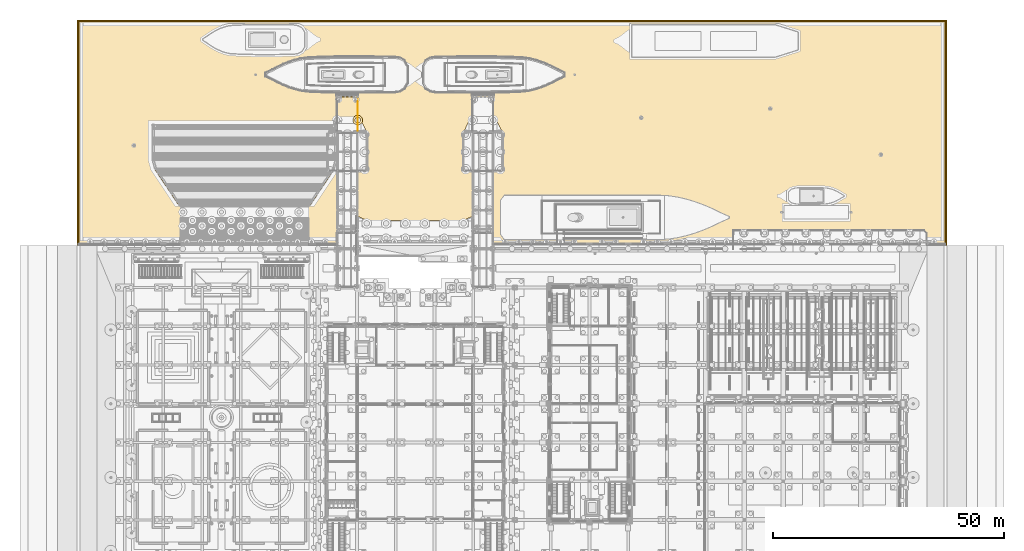
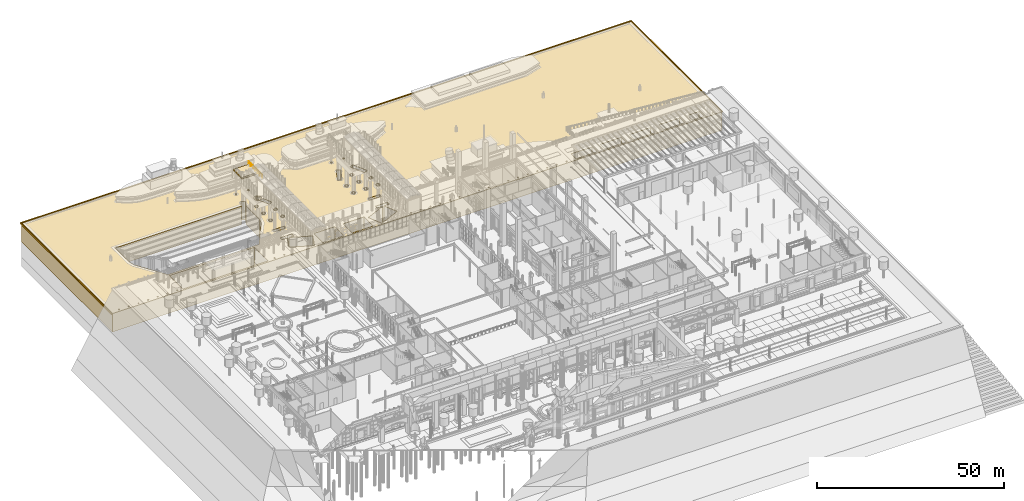
# One storey, part 193 of 222: 4 coverings, 1 railing.
"""IFC4 building model written with IfcOpenShell, lengths in metres."""

from ifc_helpers import new_model, si_unit, direction, frame, origin, origin_2d, place, context, subcontext, project, spatial, polyline, circle, outline, extrude, material, layer, layer_set, type_object, element, save


model = new_model("IFC4")

# Units and contexts
model_context = context("Model", 3, precision=1e-05, world=origin(), true_north=direction((0.0, 1.0)))
body_context = subcontext(model_context, "Body", "Model", "MODEL_VIEW")
ifc_project = project(units=[si_unit("LENGTHUNIT", "METRE"), si_unit("AREAUNIT", "SQUARE_METRE"), si_unit("VOLUMEUNIT", "CUBIC_METRE"), si_unit("PLANEANGLEUNIT", "RADIAN"), si_unit("MASSUNIT", "GRAM", prefix="KILO")], contexts=[model_context])

# Site, building, storey
site_placement = place(None, origin())
site = spatial("IfcSite", under=ifc_project, at=site_placement, CompositionType="ELEMENT")
building_placement = place(site_placement, origin())
building = spatial("IfcBuilding", under=site, at=building_placement, Name="Sava Quay Ferry Terminal", CompositionType="ELEMENT")
storey_placement = place(building_placement, origin())
storey = spatial("IfcBuildingStorey", under=building, at=storey_placement, Name="L00", CompositionType="ELEMENT", Elevation=0.0)

# Covering
ifc_material_1 = material(Name="Precast concrete C40/50", Category="concrete")
ifc_layer_1 = layer(ifc_material_1, 0.449951171875)
ifc_layer_set_1 = layer_set([ifc_layer_1], Name="Precast concrete C40/50")
covering_type_1 = type_object("IfcCoveringType", Name="Berth landing stage 450", PredefinedType="FLOORING", material=ifc_layer_set_1)
covering_1_placement = place(storey_placement, frame((0.0, 0.0, -0.449951171875)))
element("IfcCovering", 1, at=covering_1_placement, inside=storey, type_object=covering_type_1, Name="Berth landing stage", PredefinedType="FLOORING", context=body_context, shape_type="SweptSolid", body=[
    extrude(outline(polyline([(45.89990234375, 146.0), (50.699951171875, 146.0), (50.699951171875, 150.5), (45.89990234375, 150.5), (45.89990234375, 146.0)])), origin(), (0.0, 0.0, 1.0), 0.449951171875),
])

# Railing
ifc_material_2 = material(Name="Steel S355", Category="steel")
railing_type = type_object("IfcRailingType", Name="Edge guard 1100", PredefinedType="GUARDRAIL", material=ifc_material_2)
railing_placement = place(storey_placement, frame((50.550048828125, 143.199951171875, 0.0)))
element("IfcRailing", 2, at=railing_placement, inside=storey, type_object=railing_type, Name="Berth guard east side", PredefinedType="GUARDRAIL", context=body_context, shape_type="SweptSolid", body=[
    extrude(circle(Radius=0.02392578125, at=origin_2d()), frame((0.0, 0.0, 1.076171875), z_axis=(0.0, 1.0, 0.0), x_axis=(-1.0, 0.0, 0.0)), (0.0, 0.0, 1.0), 7.150146484375),
    extrude(circle(Radius=0.02099609375, at=origin_2d()), origin(), (0.0, 0.0, 1.0), 1.052001953125),
    extrude(circle(Radius=0.02099609375, at=origin_2d()), frame((0.0, 1.191650390625, 0.0)), (0.0, 0.0, 1.0), 1.052001953125),
    extrude(circle(Radius=0.02099609375, at=origin_2d()), frame((0.0, 2.38330078125, 0.0)), (0.0, 0.0, 1.0), 1.052001953125),
    extrude(circle(Radius=0.02099609375, at=origin_2d()), frame((0.0, 3.5751953125, 0.0)), (0.0, 0.0, 1.0), 1.052001953125),
    extrude(circle(Radius=0.02099609375, at=origin_2d()), frame((0.0, 4.766845703125, 0.0)), (0.0, 0.0, 1.0), 1.052001953125),
    extrude(circle(Radius=0.02099609375, at=origin_2d()), frame((0.0, 5.95849609375, 0.0)), (0.0, 0.0, 1.0), 1.052001953125),
    extrude(circle(Radius=0.02099609375, at=origin_2d()), frame((0.0, 7.150146484375, 0.0)), (0.0, 0.0, 1.0), 1.052001953125),
])

# Coverings
ifc_material_3 = material(Name="Limestone ashlar", Category="masonry")
ifc_layer_2 = layer(ifc_material_3, 0.25)
ifc_layer_set_2 = layer_set([ifc_layer_2], Name="Limestone ashlar")
covering_type_2 = type_object("IfcCoveringType", Name="Quay waterline ledge 250x400", PredefinedType="MOLDING", material=ifc_layer_set_2)
covering_2_placement = place(storey_placement, frame((0.0, 0.0, -8.199951171875)))
element("IfcCovering", 3, at=covering_2_placement, inside=storey, type_object=covering_type_2, Name="Quay waterline ledge", PredefinedType="MOLDING", context=body_context, shape_type="SweptSolid", body=[
    extrude(outline(polyline([(-10.25, 118.35009765625), (-10.0, 118.35009765625), (-10.0, 166.955078125), (178.0, 166.955078125), (178.0, 118.35009765625), (178.25, 118.35009765625), (178.25, 167.205078125), (-10.25, 167.205078125), (-10.25, 118.35009765625)])), origin(), (0.0, 0.0, 1.0), 0.39990234375),
])
ifc_material_4 = material(Name="Water")
ifc_layer_3 = layer(ifc_material_4, 0.0400390625)
ifc_layer_set_3 = layer_set([ifc_layer_3], Name="Water")
covering_type_3 = type_object("IfcCoveringType", Name="River foam collar", PredefinedType="CLADDING", material=ifc_layer_set_3)
covering_3_placement = place(storey_placement, frame((0.0, 0.0, -8.0)))
element("IfcCovering", 4, at=covering_3_placement, inside=storey, type_object=covering_type_3, Name="River foam collar", PredefinedType="CLADDING", context=body_context, shape_type="SweptSolid", body=[
    extrude(outline(polyline([(49.965087890625, 146.375), (49.805908203125, 146.243896484375), (49.675048828125, 146.0849609375), (49.577880859375, 145.903076171875), (49.51806640625, 145.705078125), (49.498046875, 145.5), (49.51806640625, 145.294921875), (49.577880859375, 145.096923828125), (49.675048828125, 144.9150390625), (49.805908203125, 144.756103515625), (49.965087890625, 144.625), (50.14697265625, 144.528076171875), (50.344970703125, 144.468017578125), (50.550048828125, 144.447998046875), (50.7548828125, 144.468017578125), (50.952880859375, 144.528076171875), (51.135009765625, 144.625), (51.2939453125, 144.756103515625), (51.425048828125, 144.9150390625), (51.52197265625, 145.096923828125), (51.58203125, 145.294921875), (51.60205078125, 145.5), (51.58203125, 145.705078125), (51.52197265625, 145.903076171875), (51.425048828125, 146.0849609375), (51.2939453125, 146.243896484375), (51.135009765625, 146.375), (50.952880859375, 146.471923828125), (50.7548828125, 146.531982421875), (50.550048828125, 146.552001953125), (50.344970703125, 146.531982421875), (50.14697265625, 146.471923828125), (49.965087890625, 146.375)]), holes=[polyline([(50.217041015625, 145.0009765625), (50.1259765625, 145.075927734375), (50.051025390625, 145.1669921875), (49.99609375, 145.27001953125), (49.9619140625, 145.383056640625), (49.949951171875, 145.5), (49.9619140625, 145.616943359375), (49.99609375, 145.72998046875), (50.051025390625, 145.8330078125), (50.1259765625, 145.924072265625), (50.217041015625, 145.9990234375), (50.320068359375, 146.053955078125), (50.43310546875, 146.087890625), (50.550048828125, 146.10009765625), (50.6669921875, 146.087890625), (50.780029296875, 146.053955078125), (50.883056640625, 145.9990234375), (50.97412109375, 145.924072265625), (51.049072265625, 145.8330078125), (51.10400390625, 145.72998046875), (51.137939453125, 145.616943359375), (51.14990234375, 145.5), (51.137939453125, 145.383056640625), (51.10400390625, 145.27001953125), (51.049072265625, 145.1669921875), (50.97412109375, 145.075927734375), (50.883056640625, 145.0009765625), (50.780029296875, 144.946044921875), (50.6669921875, 144.912109375), (50.550048828125, 144.89990234375), (50.43310546875, 144.912109375), (50.320068359375, 144.946044921875), (50.217041015625, 145.0009765625)])]), origin(), (0.0, 0.0, 1.0), 0.0400390625),
])
ifc_material_5 = material(Name="Water")
ifc_layer_4 = layer(ifc_material_5, 6.0)
ifc_layer_set_4 = layer_set([ifc_layer_4], Name="Water")
covering_type_4 = type_object("IfcCoveringType", Name="River water body", PredefinedType="MEMBRANE", material=ifc_layer_set_4)
covering_4_placement = place(storey_placement, frame((0.0, 0.0, -14.0)))
element("IfcCovering", 5, at=covering_4_placement, inside=storey, type_object=covering_type_4, Name="River water at normal level 70.00 m", PredefinedType="MEMBRANE", context=body_context, shape_type="SweptSolid", body=[
    extrude(outline(polyline([(-10.0, 166.955078125), (-10.0, 118.35009765625), (178.0, 118.35009765625), (178.0, 166.955078125), (-10.0, 166.955078125)]), holes=[polyline([(-4.702880859375, 119.10009765625), (-4.64404296875, 119.243896484375), (-4.5, 119.302978515625), (-4.35595703125, 119.243896484375), (-4.297119140625, 119.10009765625), (-4.35595703125, 118.9560546875), (-4.5, 118.89697265625), (-4.64404296875, 118.9560546875), (-4.702880859375, 119.10009765625)]), polyline([(-1.64404296875, 119.243896484375), (-1.5, 119.302978515625), (-1.35595703125, 119.243896484375), (-1.297119140625, 119.10009765625), (-1.35595703125, 118.9560546875), (-1.5, 118.89697265625), (-1.64404296875, 118.9560546875), (-1.702880859375, 119.10009765625), (-1.64404296875, 119.243896484375)]), polyline([(1.35595703125, 119.243896484375), (1.5, 119.302978515625), (1.64404296875, 119.243896484375), (1.702880859375, 119.10009765625), (1.64404296875, 118.9560546875), (1.5, 118.89697265625), (1.35595703125, 118.9560546875), (1.297119140625, 119.10009765625), (1.35595703125, 119.243896484375)]), polyline([(4.297119140625, 119.10009765625), (4.35595703125, 119.243896484375), (4.5, 119.302978515625), (4.64404296875, 119.243896484375), (4.702880859375, 119.10009765625), (4.64404296875, 118.9560546875), (4.5, 118.89697265625), (4.35595703125, 118.9560546875), (4.297119140625, 119.10009765625)]), polyline([(-7.64404296875, 119.243896484375), (-7.5, 119.302978515625), (-7.35595703125, 119.243896484375), (-7.297119140625, 119.10009765625), (-7.35595703125, 118.9560546875), (-7.5, 118.89697265625), (-7.64404296875, 118.9560546875), (-7.702880859375, 119.10009765625), (-7.64404296875, 119.243896484375)]), polyline([(7.35595703125, 119.243896484375), (7.5, 119.302978515625), (7.64404296875, 119.243896484375), (7.702880859375, 119.10009765625), (7.64404296875, 118.9560546875), (7.5, 118.89697265625), (7.35595703125, 118.9560546875), (7.297119140625, 119.10009765625), (7.35595703125, 119.243896484375)]), polyline([(10.297119140625, 119.10009765625), (10.35595703125, 119.243896484375), (10.5, 119.302978515625), (10.64404296875, 119.243896484375), (10.702880859375, 119.10009765625), (10.64404296875, 118.9560546875), (10.5, 118.89697265625), (10.35595703125, 118.9560546875), (10.297119140625, 119.10009765625)]), polyline([(38.302978515625, 126.052978515625), (38.302978515625, 118.846923828125), (12.096923828125, 118.846923828125), (12.096923828125, 126.052978515625), (38.302978515625, 126.052978515625)]), polyline([(6.4580078125, 135.054931640625), (6.4599609375, 135.054931640625), (5.99609375, 136.794921875), (5.9951171875, 136.794921875), (5.992919921875, 136.804931640625), (5.9951171875, 136.804931640625), (5.9951171875, 144.465087890625), (44.8720703125, 144.465087890625), (45.758056640625, 146.323974609375), (46.8740234375, 145.7919921875), (46.0048828125, 143.967041015625), (46.0048828125, 136.804931640625), (46.007080078125, 136.804931640625), (46.0048828125, 136.794921875), (46.00390625, 136.794921875), (45.5400390625, 135.054931640625), (45.5419921875, 135.054931640625), (40.0029296875, 126.7451171875), (11.9970703125, 126.7451171875), (6.4580078125, 135.054931640625)]), polyline([(43.35595703125, 119.243896484375), (43.5, 119.302978515625), (43.64404296875, 119.243896484375), (43.702880859375, 119.10009765625), (43.64404296875, 118.9560546875), (43.5, 118.89697265625), (43.35595703125, 118.9560546875), (43.297119140625, 119.10009765625), (43.35595703125, 119.243896484375)]), polyline([(40.35595703125, 119.243896484375), (40.5, 119.302978515625), (40.64404296875, 119.243896484375), (40.702880859375, 119.10009765625), (40.64404296875, 118.9560546875), (40.5, 118.89697265625), (40.35595703125, 118.9560546875), (40.297119140625, 119.10009765625), (40.35595703125, 119.243896484375)]), polyline([(70.7529296875, 123.7529296875), (70.7529296875, 118.846923828125), (64.2470703125, 118.846923828125), (64.2470703125, 123.7529296875), (70.7529296875, 123.7529296875)]), polyline([(61.7529296875, 123.7529296875), (61.7529296875, 118.846923828125), (55.2470703125, 118.846923828125), (55.2470703125, 123.7529296875), (61.7529296875, 123.7529296875)]), polyline([(46.447021484375, 126.5029296875), (50.153076171875, 126.5029296875), (50.153076171875, 125.4970703125), (48.577880859375, 125.4970703125), (54.44189453125, 122.9130859375), (52.6220703125, 118.784912109375), (46.326904296875, 121.55810546875), (48.06298828125, 125.4970703125), (46.447021484375, 125.4970703125), (46.447021484375, 126.5029296875)]), polyline([(73.3779296875, 118.784912109375), (71.55810546875, 122.9130859375), (77.422119140625, 125.4970703125), (75.846923828125, 125.4970703125), (75.846923828125, 126.5029296875), (79.552978515625, 126.5029296875), (79.552978515625, 125.4970703125), (77.93701171875, 125.4970703125), (79.673095703125, 121.55810546875), (73.3779296875, 118.784912109375)]), polyline([(50.153076171875, 130.702880859375), (50.153076171875, 129.697021484375), (46.447021484375, 129.697021484375), (46.447021484375, 130.702880859375), (50.153076171875, 130.702880859375)]), polyline([(79.552978515625, 130.702880859375), (79.552978515625, 129.697021484375), (75.846923828125, 129.697021484375), (75.846923828125, 130.702880859375), (79.552978515625, 130.702880859375)]), polyline([(51.447021484375, 134.85009765625), (51.6240234375, 135.27587890625), (52.050048828125, 135.452880859375), (52.47607421875, 135.27587890625), (52.653076171875, 134.85009765625), (52.47607421875, 134.424072265625), (52.050048828125, 134.2470703125), (51.6240234375, 134.424072265625), (51.447021484375, 134.85009765625)]), polyline([(47.8740234375, 135.27587890625), (48.300048828125, 135.452880859375), (48.72607421875, 135.27587890625), (48.903076171875, 134.85009765625), (48.72607421875, 134.424072265625), (48.300048828125, 134.2470703125), (47.8740234375, 134.424072265625), (47.697021484375, 134.85009765625), (47.8740234375, 135.27587890625)]), polyline([(73.52392578125, 135.27587890625), (73.949951171875, 135.452880859375), (74.3759765625, 135.27587890625), (74.552978515625, 134.85009765625), (74.3759765625, 134.424072265625), (73.949951171875, 134.2470703125), (73.52392578125, 134.424072265625), (73.346923828125, 134.85009765625), (73.52392578125, 135.27587890625)]), polyline([(77.096923828125, 134.85009765625), (77.27392578125, 135.27587890625), (77.699951171875, 135.452880859375), (78.1259765625, 135.27587890625), (78.302978515625, 134.85009765625), (78.1259765625, 134.424072265625), (77.699951171875, 134.2470703125), (77.27392578125, 134.424072265625), (77.096923828125, 134.85009765625)]), polyline([(77.27392578125, 139.02587890625), (77.699951171875, 139.202880859375), (78.1259765625, 139.02587890625), (78.302978515625, 138.60009765625), (78.1259765625, 138.174072265625), (77.699951171875, 137.9970703125), (77.27392578125, 138.174072265625), (77.096923828125, 138.60009765625), (77.27392578125, 139.02587890625)]), polyline([(51.6240234375, 139.02587890625), (52.050048828125, 139.202880859375), (52.47607421875, 139.02587890625), (52.653076171875, 138.60009765625), (52.47607421875, 138.174072265625), (52.050048828125, 137.9970703125), (51.6240234375, 138.174072265625), (51.447021484375, 138.60009765625), (51.6240234375, 139.02587890625)]), polyline([(47.697021484375, 138.60009765625), (47.8740234375, 139.02587890625), (48.300048828125, 139.202880859375), (48.72607421875, 139.02587890625), (48.903076171875, 138.60009765625), (48.72607421875, 138.174072265625), (48.300048828125, 137.9970703125), (47.8740234375, 138.174072265625), (47.697021484375, 138.60009765625)]), polyline([(73.52392578125, 139.02587890625), (73.949951171875, 139.202880859375), (74.3759765625, 139.02587890625), (74.552978515625, 138.60009765625), (74.3759765625, 138.174072265625), (73.949951171875, 137.9970703125), (73.52392578125, 138.174072265625), (73.346923828125, 138.60009765625), (73.52392578125, 139.02587890625)]), polyline([(47.8740234375, 142.77587890625), (48.300048828125, 142.952880859375), (48.72607421875, 142.77587890625), (48.903076171875, 142.35009765625), (48.72607421875, 141.924072265625), (48.300048828125, 141.7470703125), (47.8740234375, 141.924072265625), (47.697021484375, 142.35009765625), (47.8740234375, 142.77587890625)]), polyline([(77.096923828125, 142.35009765625), (77.27392578125, 142.77587890625), (77.699951171875, 142.952880859375), (78.1259765625, 142.77587890625), (78.302978515625, 142.35009765625), (78.1259765625, 141.924072265625), (77.699951171875, 141.7470703125), (77.27392578125, 141.924072265625), (77.096923828125, 142.35009765625)]), polyline([(75.157958984375, 146.323974609375), (76.27392578125, 145.7919921875), (74.241943359375, 141.52587890625), (73.1259765625, 142.05810546875), (75.157958984375, 146.323974609375)]), polyline([(49.72607421875, 145.7919921875), (50.842041015625, 146.323974609375), (52.8740234375, 142.05810546875), (51.758056640625, 141.52587890625), (49.72607421875, 145.7919921875)]), polyline([(81.157958984375, 141.52587890625), (79.1259765625, 145.7919921875), (80.241943359375, 146.323974609375), (82.27392578125, 142.05810546875), (81.157958984375, 141.52587890625)]), polyline([(46.181884765625, 150.218017578125), (46.39990234375, 150.30810546875), (46.617919921875, 150.218017578125), (46.7080078125, 150.0), (46.617919921875, 149.781982421875), (46.39990234375, 149.69189453125), (46.181884765625, 149.781982421875), (46.092041015625, 150.0), (46.181884765625, 150.218017578125)]), polyline([(75.58203125, 150.218017578125), (75.800048828125, 150.30810546875), (76.01806640625, 150.218017578125), (76.10791015625, 150.0), (76.01806640625, 149.781982421875), (75.800048828125, 149.69189453125), (75.58203125, 149.781982421875), (75.491943359375, 150.0), (75.58203125, 150.218017578125)]), polyline([(49.89208984375, 150.0), (49.98193359375, 150.218017578125), (50.199951171875, 150.30810546875), (50.41796875, 150.218017578125), (50.508056640625, 150.0), (50.41796875, 149.781982421875), (50.199951171875, 149.69189453125), (49.98193359375, 149.781982421875), (49.89208984375, 150.0)]), polyline([(79.382080078125, 150.218017578125), (79.60009765625, 150.30810546875), (79.818115234375, 150.218017578125), (79.907958984375, 150.0), (79.818115234375, 149.781982421875), (79.60009765625, 149.69189453125), (79.382080078125, 149.781982421875), (79.2919921875, 150.0), (79.382080078125, 150.218017578125)]), polyline([(115.35595703125, 119.243896484375), (115.5, 119.302978515625), (115.64404296875, 119.243896484375), (115.702880859375, 119.10009765625), (115.64404296875, 118.9560546875), (115.5, 118.89697265625), (115.35595703125, 118.9560546875), (115.297119140625, 119.10009765625), (115.35595703125, 119.243896484375)]), polyline([(175.297119140625, 119.10009765625), (175.35595703125, 119.243896484375), (175.5, 119.302978515625), (175.64404296875, 119.243896484375), (175.702880859375, 119.10009765625), (175.64404296875, 118.9560546875), (175.5, 118.89697265625), (175.35595703125, 118.9560546875), (175.297119140625, 119.10009765625)]), polyline([(130.35595703125, 119.243896484375), (130.5, 119.302978515625), (130.64404296875, 119.243896484375), (130.702880859375, 119.10009765625), (130.64404296875, 118.9560546875), (130.5, 118.89697265625), (130.35595703125, 118.9560546875), (130.297119140625, 119.10009765625), (130.35595703125, 119.243896484375)]), polyline([(127.35595703125, 119.243896484375), (127.5, 119.302978515625), (127.64404296875, 119.243896484375), (127.702880859375, 119.10009765625), (127.64404296875, 118.9560546875), (127.5, 118.89697265625), (127.35595703125, 118.9560546875), (127.297119140625, 119.10009765625), (127.35595703125, 119.243896484375)]), polyline([(124.297119140625, 119.10009765625), (124.35595703125, 119.243896484375), (124.5, 119.302978515625), (124.64404296875, 119.243896484375), (124.702880859375, 119.10009765625), (124.64404296875, 118.9560546875), (124.5, 118.89697265625), (124.35595703125, 118.9560546875), (124.297119140625, 119.10009765625)]), polyline([(121.35595703125, 119.243896484375), (121.5, 119.302978515625), (121.64404296875, 119.243896484375), (121.702880859375, 119.10009765625), (121.64404296875, 118.9560546875), (121.5, 118.89697265625), (121.35595703125, 118.9560546875), (121.297119140625, 119.10009765625), (121.35595703125, 119.243896484375)]), polyline([(118.35595703125, 119.243896484375), (118.5, 119.302978515625), (118.64404296875, 119.243896484375), (118.702880859375, 119.10009765625), (118.64404296875, 118.9560546875), (118.5, 118.89697265625), (118.35595703125, 118.9560546875), (118.297119140625, 119.10009765625), (118.35595703125, 119.243896484375)]), polyline([(112.297119140625, 119.10009765625), (112.35595703125, 119.243896484375), (112.5, 119.302978515625), (112.64404296875, 119.243896484375), (112.702880859375, 119.10009765625), (112.64404296875, 118.9560546875), (112.5, 118.89697265625), (112.35595703125, 118.9560546875), (112.297119140625, 119.10009765625)]), polyline([(106.35595703125, 119.243896484375), (106.5, 119.302978515625), (106.64404296875, 119.243896484375), (106.702880859375, 119.10009765625), (106.64404296875, 118.9560546875), (106.5, 118.89697265625), (106.35595703125, 118.9560546875), (106.297119140625, 119.10009765625), (106.35595703125, 119.243896484375)]), polyline([(103.35595703125, 119.243896484375), (103.5, 119.302978515625), (103.64404296875, 119.243896484375), (103.702880859375, 119.10009765625), (103.64404296875, 118.9560546875), (103.5, 118.89697265625), (103.35595703125, 118.9560546875), (103.297119140625, 119.10009765625), (103.35595703125, 119.243896484375)]), polyline([(97.297119140625, 119.10009765625), (97.35595703125, 119.243896484375), (97.5, 119.302978515625), (97.64404296875, 119.243896484375), (97.702880859375, 119.10009765625), (97.64404296875, 118.9560546875), (97.5, 118.89697265625), (97.35595703125, 118.9560546875), (97.297119140625, 119.10009765625)]), polyline([(94.35595703125, 119.243896484375), (94.5, 119.302978515625), (94.64404296875, 119.243896484375), (94.702880859375, 119.10009765625), (94.64404296875, 118.9560546875), (94.5, 118.89697265625), (94.35595703125, 118.9560546875), (94.297119140625, 119.10009765625), (94.35595703125, 119.243896484375)]), polyline([(91.35595703125, 119.243896484375), (91.5, 119.302978515625), (91.64404296875, 119.243896484375), (91.702880859375, 119.10009765625), (91.64404296875, 118.9560546875), (91.5, 118.89697265625), (91.35595703125, 118.9560546875), (91.297119140625, 119.10009765625), (91.35595703125, 119.243896484375)]), polyline([(88.297119140625, 119.10009765625), (88.35595703125, 119.243896484375), (88.5, 119.302978515625), (88.64404296875, 119.243896484375), (88.702880859375, 119.10009765625), (88.64404296875, 118.9560546875), (88.5, 118.89697265625), (88.35595703125, 118.9560546875), (88.297119140625, 119.10009765625)]), polyline([(85.35595703125, 119.243896484375), (85.5, 119.302978515625), (85.64404296875, 119.243896484375), (85.702880859375, 119.10009765625), (85.64404296875, 118.9560546875), (85.5, 118.89697265625), (85.35595703125, 118.9560546875), (85.297119140625, 119.10009765625), (85.35595703125, 119.243896484375)]), polyline([(82.35595703125, 119.243896484375), (82.5, 119.302978515625), (82.64404296875, 119.243896484375), (82.702880859375, 119.10009765625), (82.64404296875, 118.9560546875), (82.5, 118.89697265625), (82.35595703125, 118.9560546875), (82.297119140625, 119.10009765625), (82.35595703125, 119.243896484375)]), polyline([(139.7529296875, 118.846923828125), (133.2470703125, 118.846923828125), (133.2470703125, 121.5029296875), (139.7529296875, 121.5029296875), (139.7529296875, 118.846923828125)]), polyline([(142.2470703125, 118.846923828125), (142.2470703125, 121.5029296875), (148.7529296875, 121.5029296875), (148.7529296875, 118.846923828125), (142.2470703125, 118.846923828125)]), polyline([(151.2470703125, 118.846923828125), (151.2470703125, 121.5029296875), (157.7529296875, 121.5029296875), (157.7529296875, 118.846923828125), (151.2470703125, 118.846923828125)]), polyline([(160.2470703125, 118.846923828125), (160.2470703125, 121.5029296875), (166.7529296875, 121.5029296875), (166.7529296875, 118.846923828125), (160.2470703125, 118.846923828125)]), polyline([(169.2470703125, 118.846923828125), (169.2470703125, 121.5029296875), (172.7529296875, 121.5029296875), (172.7529296875, 118.846923828125), (169.2470703125, 118.846923828125)]), polyline([(81.02392578125, 135.27587890625), (81.449951171875, 135.452880859375), (81.8759765625, 135.27587890625), (82.052978515625, 134.85009765625), (81.8759765625, 134.424072265625), (81.449951171875, 134.2470703125), (81.02392578125, 134.424072265625), (80.846923828125, 134.85009765625), (81.02392578125, 135.27587890625)]), polyline([(81.02392578125, 139.02587890625), (81.449951171875, 139.202880859375), (81.8759765625, 139.02587890625), (82.052978515625, 138.60009765625), (81.8759765625, 138.174072265625), (81.449951171875, 137.9970703125), (81.02392578125, 138.174072265625), (80.846923828125, 138.60009765625), (81.02392578125, 139.02587890625)])]), origin(), (0.0, 0.0, 1.0), 6.0),
])

save(model, "model.ifc")
